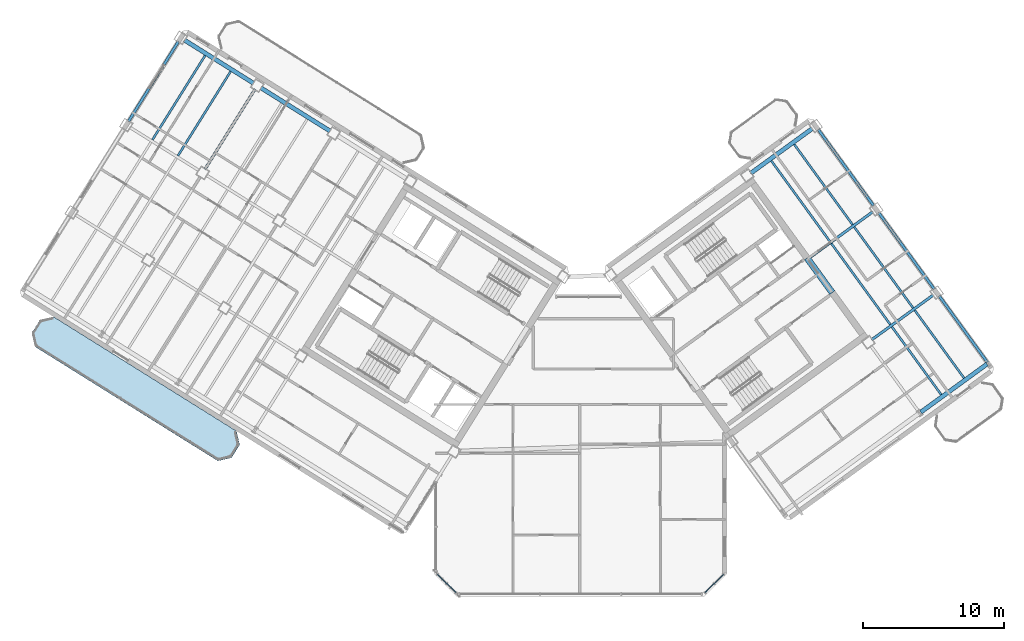
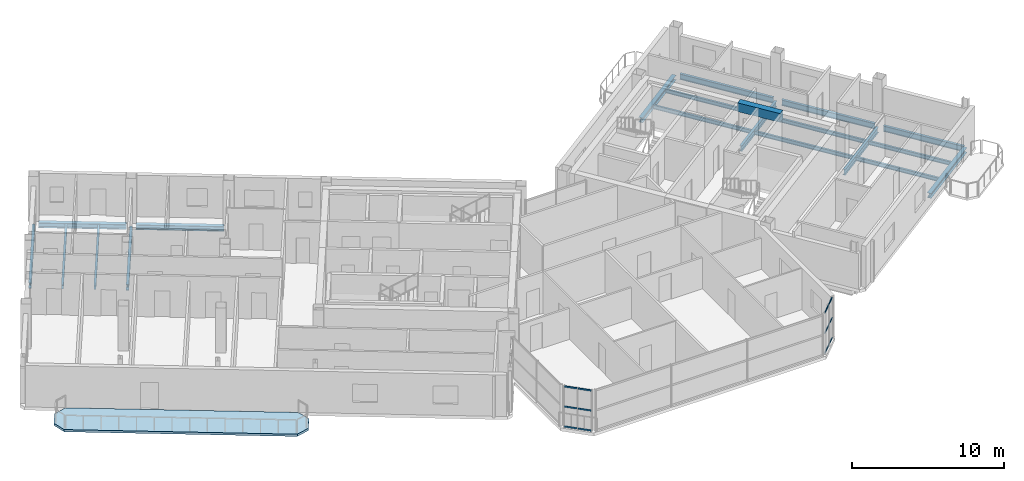
# One storey, part 13 of 25: 20 beams, 12 members, 1 slab, 2 elements without a shape of their own.
"""IFC4 building model written with IfcOpenShell, lengths in metres."""

from ifc_helpers import new_model, si_unit, direction, frame, origin, origin_2d, place, context, subcontext, project, spatial, polyline, rectangle, hollow_rectangle, i_section, outline, extrude, source, transform, mapped, material, layer, layer_set, material_profile, profile_set, type_object, element, aggregate, save


model = new_model("IFC4")

# Units and contexts
model_context = context("Model", 3, precision=1e-05, world=origin(), true_north=direction((0.0, 1.0)))
body_context = subcontext(model_context, "Body", "Model", "MODEL_VIEW")
ifc_project = project(units=[si_unit("LENGTHUNIT", "METRE"), si_unit("AREAUNIT", "SQUARE_METRE"), si_unit("VOLUMEUNIT", "CUBIC_METRE"), si_unit("PLANEANGLEUNIT", "RADIAN"), si_unit("MASSUNIT", "GRAM", prefix="KILO")], contexts=[model_context])

# Site, building, storey
site_placement = place(None, origin())
site = spatial("IfcSite", under=ifc_project, at=site_placement, CompositionType="ELEMENT")
building_placement = place(site_placement, origin())
building = spatial("IfcBuilding", under=site, at=building_placement, Name="Tlacorven Tower", CompositionType="ELEMENT")
storey_placement = place(building_placement, frame((0.0, 0.0, 251.10009765625)))
storey = spatial("IfcBuildingStorey", under=building, at=storey_placement, Name="L63", CompositionType="ELEMENT", Elevation=251.10009765625)

# Beams
ifc_material_1 = material(Name="Concrete C60/75", Category="concrete")
ifc_material_profile_1 = material_profile(ifc_material_1, rectangle(XDim=0.449951171875, YDim=0.699951171875, at=origin_2d()), Name="RC 450X700")
ifc_profile_set_1 = profile_set([ifc_material_profile_1], Name="Concrete C60/75")
beam_type_1 = type_object("IfcBeamType", Name="BM-LNT-700", PredefinedType="LINTEL", material=ifc_profile_set_1)
shared_shape_1 = source(origin(), body_context, "Body", "SweptSolid", [
    extrude(rectangle(XDim=0.449951171875, YDim=0.699951171875, at=origin_2d()), origin(), (0.0, 0.0, 1.0), 3.050048828125),
])
beam_1_placement = place(storey_placement, frame((59.856689453125, 23.345947265625, 2.969970703125), z_axis=(-0.587776590479, 0.80902328748, 0.0), x_axis=(-0.80902328748, -0.587776590479, 0.0)))
element("IfcBeam", 1, at=beam_1_placement, inside=storey, type_object=beam_type_1, Name="L63 E core coupling lintel beam E2", PredefinedType="LINTEL", context=body_context, shape_type="MappedRepresentation", body=[
    mapped(shared_shape_1, transform((0.0, 0.0, 0.0), scale=1.0)),
])
ifc_material_2 = material(Name="Steel S355J2", Category="steel")
ifc_material_profile_2 = material_profile(ifc_material_2, i_section(OverallWidth=0.300048828125, OverallDepth=0.389892578125, WebThickness=0.010986328125, FlangeThickness=0.01904296875, at=origin_2d()), Name="HEA 400")
ifc_profile_set_2 = profile_set([ifc_material_profile_2], Name="Steel S355J2")
beam_type_2 = type_object("IfcBeamType", Name="BM-SPN-400", PredefinedType="SPANDREL", material=ifc_profile_set_2)
shared_shape_2 = source(origin(), body_context, "Body", "SweptSolid", [
    extrude(i_section(OverallWidth=0.300048828125, OverallDepth=0.389892578125, WebThickness=0.010986328125, FlangeThickness=0.01904296875, at=origin_2d()), origin(), (0.0, 0.0, 1.0), 5.800048828125),
])
for number, where, z_axis, x_axis, name in (
    (2, (24.24609375, 34.8017578125, -0.445068359375), (-0.848052689693, 0.529911912967, 0.0), (-0.529911912967, -0.848052689693, 0.0), "L63 beam BM-L63-WL1-4"),
    (3, (18.818603515625, 38.193359375, -0.445068359375), (-0.848052689693, 0.529911912967, 0.0), (-0.529911912967, -0.848052689693, 0.0), "L63 beam BM-L63-WL1-5"),
    (4, (66.138671875, 14.86962890625, -0.445068359375), (0.809019944521, 0.587781191743, 0.0), (-0.587781191743, 0.809019944521, 0.0), "L63 beam BM-L63-EL1-3"),
):
    element("IfcBeam", number, at=place(storey_placement, frame(where, z_axis=z_axis, x_axis=x_axis)), inside=storey, type_object=beam_type_2, Name=name, PredefinedType="SPANDREL", context=body_context, shape_type="MappedRepresentation", body=[
        mapped(shared_shape_2, transform((0.0, 0.0, 0.0), scale=1.0)),
    ])
ifc_material_profile_3 = material_profile(ifc_material_2, i_section(OverallWidth=0.14990234375, OverallDepth=0.300048828125, WebThickness=0.007080078125, FlangeThickness=0.0107421875, at=origin_2d()), Name="IPE 300")
ifc_profile_set_3 = profile_set([ifc_material_profile_3], Name="Steel S355J2")
beam_type_3 = type_object("IfcBeamType", Name="BM-JST-300", PredefinedType="JOIST", material=ifc_profile_set_3)
shared_shape_3 = source(origin(), body_context, "Body", "SweptSolid", [
    extrude(i_section(OverallWidth=0.14990234375, OverallDepth=0.300048828125, WebThickness=0.007080078125, FlangeThickness=0.0107421875, at=origin_2d()), origin(), (0.0, 0.0, 1.0), 7.10009765625),
])
for number, where, z_axis, x_axis, name in (
    (5, (63.972900390625, 21.083251953125, -0.400146484375), (-0.587783168305, 0.809018508476, 0.0), (-0.809018508476, -0.587783168305, 0.0), "L63 beam BM-L63-EJ3-2-1"),
    (6, (65.5908203125, 22.2587890625, -0.400146484375), (-0.587760662035, 0.809034859672, 0.0), (-0.809034859672, -0.587760662035, 0.0), "L63 beam BM-L63-EJ3-2-2"),
):
    element("IfcBeam", number, at=place(storey_placement, frame(where, z_axis=z_axis, x_axis=x_axis)), inside=storey, type_object=beam_type_3, Name=name, PredefinedType="JOIST", context=body_context, shape_type="MappedRepresentation", body=[
        mapped(shared_shape_3, transform((0.0, 0.0, 0.0), scale=1.0)),
    ])
shared_shape_4 = source(origin(), body_context, "Body", "SweptSolid", [
    extrude(i_section(OverallWidth=0.14990234375, OverallDepth=0.300048828125, WebThickness=0.007080078125, FlangeThickness=0.0107421875, at=origin_2d()), origin(), (0.0, 0.0, 1.0), 7.044921875),
])
for number, where, z_axis, x_axis, name in (
    (7, (17.181640625, 39.033447265625, -0.400146484375), (-0.529899256491, -0.848060598053, 0.0), (0.848060598053, -0.529899256491, 0.0), "L63 beam BM-L63-WJ5-1-1"),
    (8, (15.372314453125, 40.163818359375, -0.400146484375), (-0.52991483005, -0.848050866925, 0.0), (0.848050866925, -0.52991483005, 0.0), "L63 beam BM-L63-WJ5-1-2"),
    (9, (61.300048828125, 28.164794921875, -0.400146484375), (-0.587782183052, 0.8090192243, 0.0), (-0.8090192243, -0.587782183052, 0.0), "L63 beam BM-L63-EJ3-3-2"),
):
    element("IfcBeam", number, at=place(storey_placement, frame(where, z_axis=z_axis, x_axis=x_axis)), inside=storey, type_object=beam_type_3, Name=name, PredefinedType="JOIST", context=body_context, shape_type="MappedRepresentation", body=[
        mapped(shared_shape_4, transform((0.0, 0.0, 0.0), scale=1.0)),
    ])
shared_shape_5 = source(origin(), body_context, "Body", "SweptSolid", [
    extrude(i_section(OverallWidth=0.14990234375, OverallDepth=0.300048828125, WebThickness=0.007080078125, FlangeThickness=0.0107421875, at=origin_2d()), origin(), (0.0, 0.0, 1.0), 5.945068359375),
])
for number, where, z_axis, x_axis, name in (
    (10, (67.584716796875, 16.11181640625, -0.400146484375), (-0.587788268014, 0.809014803317, 0.0), (-0.809014803317, -0.587788268014, 0.0), "L63 beam BM-L63-EJ3-1-1"),
    (11, (69.202880859375, 17.287353515625, -0.400146484375), (-0.587768740048, 0.809028990965, 0.0), (-0.809028990965, -0.587768740048, 0.0), "L63 beam BM-L63-EJ3-1-2"),
):
    element("IfcBeam", number, at=place(storey_placement, frame(where, z_axis=z_axis, x_axis=x_axis)), inside=storey, type_object=beam_type_3, Name=name, PredefinedType="JOIST", context=body_context, shape_type="MappedRepresentation", body=[
        mapped(shared_shape_5, transform((0.0, 0.0, 0.0), scale=1.0)),
    ])
shared_shape_6 = source(origin(), body_context, "Body", "SweptSolid", [
    extrude(i_section(OverallWidth=0.14990234375, OverallDepth=0.300048828125, WebThickness=0.007080078125, FlangeThickness=0.0107421875, at=origin_2d()), origin(), (0.0, 0.0, 1.0), 7.045166015625),
])
beam_2_placement = place(storey_placement, frame((59.68212890625, 26.989013671875, -0.400146484375), z_axis=(-0.587788385447, 0.809014717996, 0.0), x_axis=(-0.809014717996, -0.587788385447, 0.0)))
element("IfcBeam", 12, at=beam_2_placement, inside=storey, type_object=beam_type_3, Name="L63 beam BM-L63-EJ3-3-1", PredefinedType="JOIST", context=body_context, shape_type="MappedRepresentation", body=[
    mapped(shared_shape_6, transform((0.0, 0.0, 0.0), scale=1.0)),
])
ifc_material_profile_4 = material_profile(ifc_material_2, i_section(OverallWidth=0.18994140625, OverallDepth=0.449951171875, WebThickness=0.009521484375, FlangeThickness=0.0146484375, at=origin_2d()), Name="IPE 450")
ifc_profile_set_4 = profile_set([ifc_material_profile_4], Name="Steel S355J2")
beam_type_4 = type_object("IfcBeamType", Name="BM-TWR-450", PredefinedType="BEAM", material=ifc_profile_set_4)
shared_shape_7 = source(origin(), body_context, "Body", "SweptSolid", [
    extrude(i_section(OverallWidth=0.18994140625, OverallDepth=0.449951171875, WebThickness=0.009521484375, FlangeThickness=0.0146484375, at=origin_2d()), origin(), (0.0, 0.0, 1.0), 5.800048828125),
])
beam_3_placement = place(storey_placement, frame((70.853271484375, 18.41845703125, -0.47509765625), z_axis=(-0.587781191743, 0.809019944521, 0.0), x_axis=(-0.809019944521, -0.587781191743, 0.0)))
element("IfcBeam", 13, at=beam_3_placement, inside=storey, type_object=beam_type_4, Name="L63 beam BM-L63-ET4-1", PredefinedType="BEAM", context=body_context, shape_type="MappedRepresentation", body=[
    mapped(shared_shape_7, transform((0.0, 0.0, 0.0), scale=1.0)),
])
shared_shape_8 = source(origin(), body_context, "Body", "SweptSolid", [
    extrude(i_section(OverallWidth=0.18994140625, OverallDepth=0.449951171875, WebThickness=0.009521484375, FlangeThickness=0.0146484375, at=origin_2d()), origin(), (0.0, 0.0, 1.0), 6.699951171875),
])
for number, where, z_axis, x_axis, name in (
    (14, (13.486328125, 41.17138671875, -0.47509765625), (-0.529903948186, -0.848057666493, 0.0), (0.848057666493, -0.529903948186, 0.0), "L63 beam BM-L63-WT6-1"),
    (15, (67.09130859375, 23.59619140625, -0.47509765625), (-0.587768623827, 0.809029075401, 0.0), (-0.809029075401, -0.587768623827, 0.0), "L63 beam BM-L63-ET4-2"),
    (16, (62.800537109375, 29.501953125, -0.47509765625), (-0.587792473715, 0.809011747655, 0.0), (-0.809011747655, -0.587792473715, 0.0), "L63 beam BM-L63-ET4-3"),
):
    element("IfcBeam", number, at=place(storey_placement, frame(where, z_axis=z_axis, x_axis=x_axis)), inside=storey, type_object=beam_type_4, Name=name, PredefinedType="BEAM", context=body_context, shape_type="MappedRepresentation", body=[
        mapped(shared_shape_8, transform((0.0, 0.0, 0.0), scale=1.0)),
    ])
shared_shape_9 = source(origin(), body_context, "Body", "SweptSolid", [
    extrude(i_section(OverallWidth=0.18994140625, OverallDepth=0.449951171875, WebThickness=0.009521484375, FlangeThickness=0.0146484375, at=origin_2d()), origin(), (0.0, 0.0, 1.0), 6.7001953125),
])
beam_4_placement = place(storey_placement, frame((18.9140625, 37.780029296875, -0.47509765625), z_axis=(-0.52991377951, -0.848051523367, 0.0), x_axis=(0.848051523367, -0.52991377951, 0.0)))
element("IfcBeam", 17, at=beam_4_placement, inside=storey, type_object=beam_type_4, Name="L63 beam BM-L63-WT5-1", PredefinedType="BEAM", context=body_context, shape_type="MappedRepresentation", body=[
    mapped(shared_shape_9, transform((0.0, 0.0, 0.0), scale=1.0)),
])
shared_shape_10 = source(origin(), body_context, "Body", "SweptSolid", [
    extrude(i_section(OverallWidth=0.18994140625, OverallDepth=0.449951171875, WebThickness=0.009521484375, FlangeThickness=0.0146484375, at=origin_2d()), origin(), (0.0, 0.0, 1.0), 5.39990234375),
])
beam_5_placement = place(storey_placement, frame((62.65625, 20.003173828125, -0.47509765625), z_axis=(0.80901166244, 0.587792591002, 0.0), x_axis=(-0.587792591002, 0.80901166244, 0.0)))
element("IfcBeam", 18, at=beam_5_placement, inside=storey, type_object=beam_type_4, Name="L63 beam BM-L63-EL2-3", PredefinedType="BEAM", context=body_context, shape_type="MappedRepresentation", body=[
    mapped(shared_shape_10, transform((0.0, 0.0, 0.0), scale=1.0)),
])
shared_shape_11 = source(origin(), body_context, "Body", "SweptSolid", [
    extrude(i_section(OverallWidth=0.18994140625, OverallDepth=0.449951171875, WebThickness=0.009521484375, FlangeThickness=0.0146484375, at=origin_2d()), origin(), (0.0, 0.0, 1.0), 5.66015625),
])
beam_6_placement = place(storey_placement, frame((58.155029296875, 25.756103515625, -0.47509765625), z_axis=(0.809017643667, 0.587784358618, 0.0), x_axis=(-0.587784358618, 0.809017643667, 0.0)))
element("IfcBeam", 19, at=beam_6_placement, inside=storey, type_object=beam_type_4, Name="L63 beam BM-L63-EL3-3", PredefinedType="BEAM", context=body_context, shape_type="MappedRepresentation", body=[
    mapped(shared_shape_11, transform((0.0, 0.0, 0.0), scale=1.0)),
])
shared_shape_12 = source(origin(), body_context, "Body", "SweptSolid", [
    extrude(i_section(OverallWidth=0.300048828125, OverallDepth=0.389892578125, WebThickness=0.010986328125, FlangeThickness=0.01904296875, at=origin_2d()), origin(), (0.0, 0.0, 1.0), 5.39990234375),
])
beam_7_placement = place(storey_placement, frame((54.07470703125, 31.814697265625, -0.445068359375), z_axis=(0.80901166244, 0.587792591002, 0.0), x_axis=(-0.587792591002, 0.80901166244, 0.0)))
element("IfcBeam", 20, at=beam_7_placement, inside=storey, type_object=beam_type_2, Name="L63 beam BM-L63-EL4-3", PredefinedType="SPANDREL", context=body_context, shape_type="MappedRepresentation", body=[
    mapped(shared_shape_12, transform((0.0, 0.0, 0.0), scale=1.0)),
])

# Curtain wall, members
ifc_material_3 = material(Name="Dark solar low-E double glazing in aluminium frame", Category="aluminium")
curtain_wall_type = type_object("IfcCurtainWallType", Name="CW-TWR-HIGH", PredefinedType="USERDEFINED", material=ifc_material_3)
curtain_wall_1_placement = place(storey_placement, origin())
curtain_wall_1 = element("IfcCurtainWall", 21, at=curtain_wall_1_placement, inside=storey, type_object=curtain_wall_type, Name="L63 CW-TWR-HIGH Curtain Wall 290", ObjectType="UNITISED CURTAIN WALL", PredefinedType="USERDEFINED")
ifc_material_4 = material(Name="Aluminium 6063-T6 anodised", Category="aluminium")
ifc_material_profile_5 = material_profile(ifc_material_4, hollow_rectangle(XDim=0.054931640625, YDim=0.1201171875, WallThickness=0.00341796875, at=origin_2d()), Name="ALU TRANSOM 55X120")
ifc_profile_set_5 = profile_set([ifc_material_profile_5], Name="Aluminium 6063-T6 anodised")
member_type = type_object("IfcMemberType", Name="CWT-03", PredefinedType="USERDEFINED", material=ifc_profile_set_5)
shared_shape_13 = source(origin(), body_context, "Body", "SweptSolid", [
    extrude(hollow_rectangle(XDim=0.054931640625, YDim=0.1201171875, WallThickness=0.00341796875, at=origin_2d()), origin(), (0.0, 0.0, 1.0), 0.899169921875),
])
member_1_placement = place(storey_placement, frame((52.13525390625, 3.361572265625, 0.059814453125), z_axis=(-0.707106781187, -0.707106781187, 0.0), x_axis=(0.707106781187, -0.707106781187, 0.0)))
member_1 = element("IfcMember", 22, at=member_1_placement, type_object=member_type, Name="CW-L63-290 Transom 1", ObjectType="TRANSOM", PredefinedType="USERDEFINED", context=body_context, shape_type="MappedRepresentation", body=[
    mapped(shared_shape_13, transform((0.0, 0.0, 0.0), scale=1.0)),
])
member_2_placement = place(storey_placement, frame((52.13525390625, 3.361572265625, 1.659912109375), z_axis=(-0.707106781187, -0.707106781187, 0.0), x_axis=(0.707106781187, -0.707106781187, 0.0)))
member_2 = element("IfcMember", 23, at=member_2_placement, type_object=member_type, Name="CW-L63-290 Transom 2", ObjectType="TRANSOM", PredefinedType="USERDEFINED", context=body_context, shape_type="MappedRepresentation", body=[
    mapped(shared_shape_13, transform((0.0, 0.0, 0.0), scale=1.0)),
])
member_3_placement = place(storey_placement, frame((52.13525390625, 3.361572265625, 3.260009765625), z_axis=(-0.707106781187, -0.707106781187, 0.0), x_axis=(0.707106781187, -0.707106781187, 0.0)))
member_3 = element("IfcMember", 24, at=member_3_placement, type_object=member_type, Name="CW-L63-290 Transom 3", ObjectType="TRANSOM", PredefinedType="USERDEFINED", context=body_context, shape_type="MappedRepresentation", body=[
    mapped(shared_shape_13, transform((0.0, 0.0, 0.0), scale=1.0)),
])
member_4_placement = place(storey_placement, frame((51.47412109375, 2.700439453125, 0.059814453125), z_axis=(-0.707106781187, -0.707106781187, 0.0), x_axis=(0.707106781187, -0.707106781187, 0.0)))
member_4 = element("IfcMember", 25, at=member_4_placement, type_object=member_type, Name="CW-L63-290 Transom 4", ObjectType="TRANSOM", PredefinedType="USERDEFINED", context=body_context, shape_type="MappedRepresentation", body=[
    mapped(shared_shape_13, transform((0.0, 0.0, 0.0), scale=1.0)),
])
member_5_placement = place(storey_placement, frame((51.47412109375, 2.700439453125, 1.659912109375), z_axis=(-0.707106781187, -0.707106781187, 0.0), x_axis=(0.707106781187, -0.707106781187, 0.0)))
member_5 = element("IfcMember", 26, at=member_5_placement, type_object=member_type, Name="CW-L63-290 Transom 5", ObjectType="TRANSOM", PredefinedType="USERDEFINED", context=body_context, shape_type="MappedRepresentation", body=[
    mapped(shared_shape_13, transform((0.0, 0.0, 0.0), scale=1.0)),
])
member_6_placement = place(storey_placement, frame((51.47412109375, 2.700439453125, 3.260009765625), z_axis=(-0.707106781187, -0.707106781187, 0.0), x_axis=(0.707106781187, -0.707106781187, 0.0)))
member_6 = element("IfcMember", 27, at=member_6_placement, type_object=member_type, Name="CW-L63-290 Transom 6", ObjectType="TRANSOM", PredefinedType="USERDEFINED", context=body_context, shape_type="MappedRepresentation", body=[
    mapped(shared_shape_13, transform((0.0, 0.0, 0.0), scale=1.0)),
])
aggregate(curtain_wall_1, [member_1, member_2, member_3, member_4, member_5, member_6])

curtain_wall_2_placement = place(storey_placement, origin())
curtain_wall_2 = element("IfcCurtainWall", 28, at=curtain_wall_2_placement, inside=storey, type_object=curtain_wall_type, Name="L63 CW-TWR-HIGH Curtain Wall 292", ObjectType="UNITISED CURTAIN WALL", PredefinedType="USERDEFINED")
member_7_placement = place(storey_placement, frame((33.16162109375, 2.064697265625, 0.059814453125), z_axis=(-0.707106781187, 0.707106781187, 0.0), x_axis=(-0.707106781187, -0.707106781187, 0.0)))
member_7 = element("IfcMember", 29, at=member_7_placement, type_object=member_type, Name="CW-L63-292 Transom 1", ObjectType="TRANSOM", PredefinedType="USERDEFINED", context=body_context, shape_type="MappedRepresentation", body=[
    mapped(shared_shape_13, transform((0.0, 0.0, 0.0), scale=1.0)),
])
member_8_placement = place(storey_placement, frame((33.16162109375, 2.064697265625, 1.659912109375), z_axis=(-0.707106781187, 0.707106781187, 0.0), x_axis=(-0.707106781187, -0.707106781187, 0.0)))
member_8 = element("IfcMember", 30, at=member_8_placement, type_object=member_type, Name="CW-L63-292 Transom 2", ObjectType="TRANSOM", PredefinedType="USERDEFINED", context=body_context, shape_type="MappedRepresentation", body=[
    mapped(shared_shape_13, transform((0.0, 0.0, 0.0), scale=1.0)),
])
member_9_placement = place(storey_placement, frame((33.16162109375, 2.064697265625, 3.260009765625), z_axis=(-0.707106781187, 0.707106781187, 0.0), x_axis=(-0.707106781187, -0.707106781187, 0.0)))
member_9 = element("IfcMember", 31, at=member_9_placement, type_object=member_type, Name="CW-L63-292 Transom 3", ObjectType="TRANSOM", PredefinedType="USERDEFINED", context=body_context, shape_type="MappedRepresentation", body=[
    mapped(shared_shape_13, transform((0.0, 0.0, 0.0), scale=1.0)),
])
member_10_placement = place(storey_placement, frame((32.50048828125, 2.725830078125, 0.059814453125), z_axis=(-0.707106781187, 0.707106781187, 0.0), x_axis=(-0.707106781187, -0.707106781187, 0.0)))
member_10 = element("IfcMember", 32, at=member_10_placement, type_object=member_type, Name="CW-L63-292 Transom 4", ObjectType="TRANSOM", PredefinedType="USERDEFINED", context=body_context, shape_type="MappedRepresentation", body=[
    mapped(shared_shape_13, transform((0.0, 0.0, 0.0), scale=1.0)),
])
member_11_placement = place(storey_placement, frame((32.50048828125, 2.725830078125, 1.659912109375), z_axis=(-0.707106781187, 0.707106781187, 0.0), x_axis=(-0.707106781187, -0.707106781187, 0.0)))
member_11 = element("IfcMember", 33, at=member_11_placement, type_object=member_type, Name="CW-L63-292 Transom 5", ObjectType="TRANSOM", PredefinedType="USERDEFINED", context=body_context, shape_type="MappedRepresentation", body=[
    mapped(shared_shape_13, transform((0.0, 0.0, 0.0), scale=1.0)),
])
member_12_placement = place(storey_placement, frame((32.50048828125, 2.725830078125, 3.260009765625), z_axis=(-0.707106781187, 0.707106781187, 0.0), x_axis=(-0.707106781187, -0.707106781187, 0.0)))
member_12 = element("IfcMember", 34, at=member_12_placement, type_object=member_type, Name="CW-L63-292 Transom 6", ObjectType="TRANSOM", PredefinedType="USERDEFINED", context=body_context, shape_type="MappedRepresentation", body=[
    mapped(shared_shape_13, transform((0.0, 0.0, 0.0), scale=1.0)),
])
aggregate(curtain_wall_2, [member_7, member_8, member_9, member_10, member_11, member_12])

# Slab
ifc_material_5 = material(Name="Precast concrete C45/55", Category="concrete")
ifc_layer = layer(ifc_material_5, 0.179931640625)
ifc_layer_set = layer_set([ifc_layer], Name="Precast concrete C45/55")
slab_type = type_object("IfcSlabType", Name="SL-BAL-180", PredefinedType="USERDEFINED", material=ifc_layer_set)
slab_placement = place(storey_placement, frame((0.0, 0.0, -0.18017578125)))
element("IfcSlab", 35, at=slab_placement, inside=storey, type_object=slab_type, Name="L63 West Wing Balcony Ribbon OUT", ObjectType="BALCONY SLAB", PredefinedType="USERDEFINED", context=body_context, shape_type="SweptSolid", body=[
    extrude(outline(polyline([(17.601318359375, 13.52490234375), (4.626220703125, 21.632568359375), (3.66162109375, 21.409912109375), (3.081298828125, 20.4814453125), (3.303955078125, 19.516845703125), (16.279052734375, 11.408935546875), (17.24365234375, 11.6318359375), (17.823974609375, 12.560302734375), (17.601318359375, 13.52490234375)])), origin(), (0.0, 0.0, 1.0), 0.18017578125),
])

save(model, "model.ifc")
